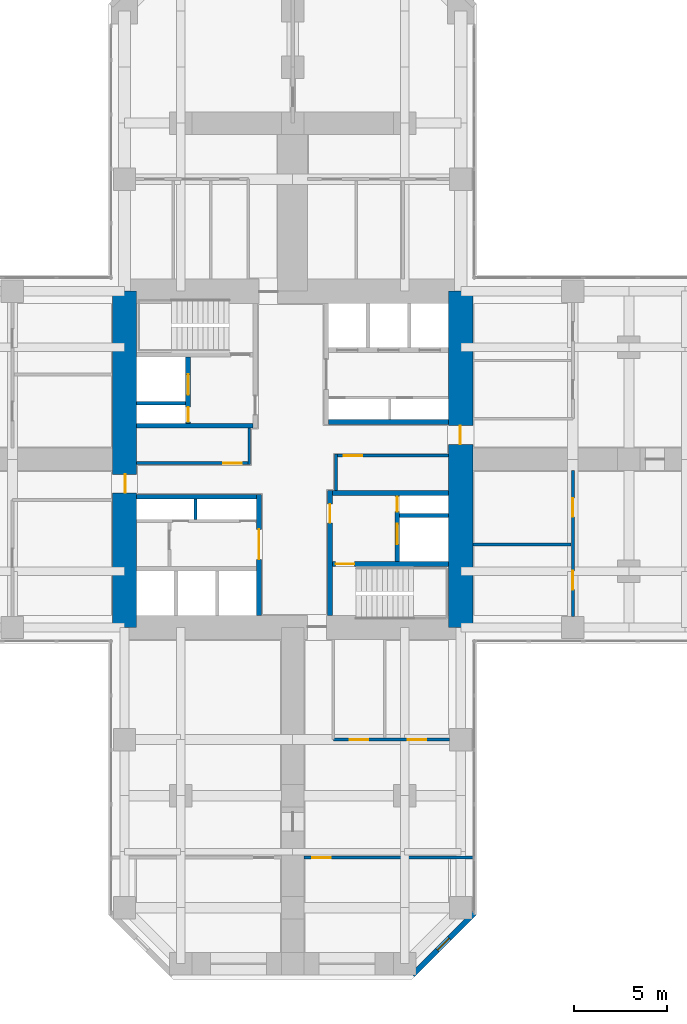
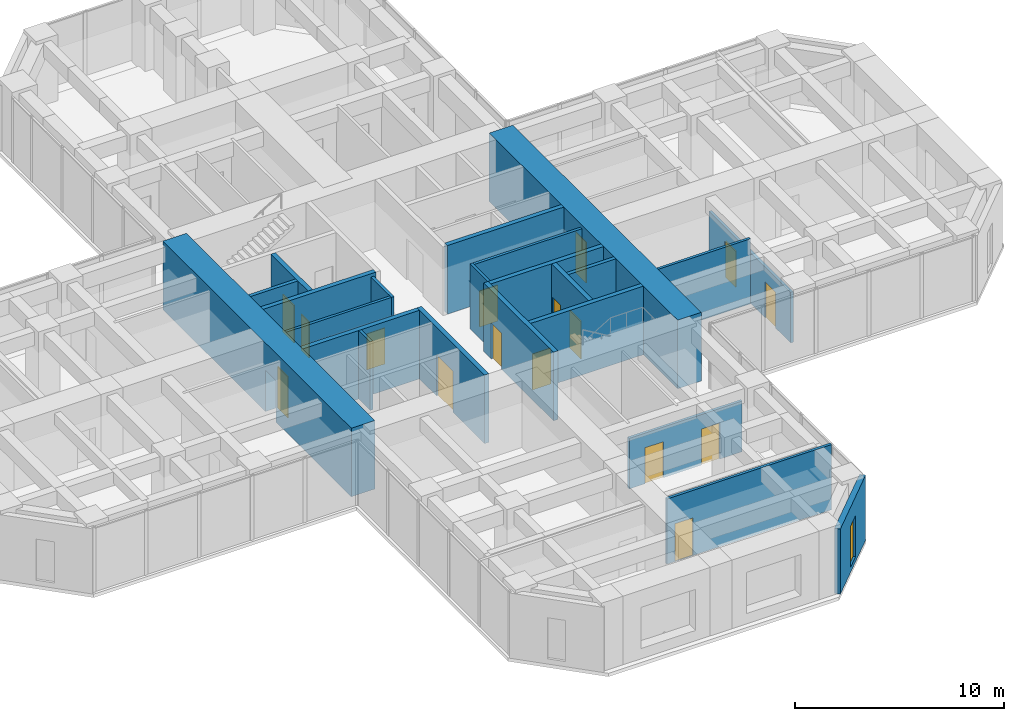
# One storey, part 9 of 12: 23 walls, 16 doors, 1 window, 17 openings.
"""IFC4 building model written with IfcOpenShell, lengths in metres."""

from ifc_helpers import new_model, si_unit, direction, frame, frame_2d, origin, place, context, subcontext, project, spatial, rectangle, hollow_rectangle, extrude, material, layer, layer_set, constituent, constituent_set, type_object, element, fill, save


model = new_model("IFC4")

# Units and contexts
model_context = context("Model", 3, precision=1e-05, world=origin(), true_north=direction((0.0, 1.0)))
body_context = subcontext(model_context, "Body", "Model", "MODEL_VIEW")
ifc_project = project(units=[si_unit("LENGTHUNIT", "METRE"), si_unit("AREAUNIT", "SQUARE_METRE"), si_unit("VOLUMEUNIT", "CUBIC_METRE"), si_unit("PLANEANGLEUNIT", "RADIAN"), si_unit("MASSUNIT", "GRAM", prefix="KILO")], contexts=[model_context])

# Site, building, storey
site_placement = place(None, origin())
site = spatial("IfcSite", under=ifc_project, at=site_placement, CompositionType="ELEMENT")
building_placement = place(site_placement, origin())
building = spatial("IfcBuilding", under=site, at=building_placement, Name="Torre Cruceta", CompositionType="ELEMENT")
storey_placement = place(building_placement, frame((0.0, 0.0, 79.5)))
storey = spatial("IfcBuildingStorey", under=building, at=storey_placement, Name="L19", CompositionType="ELEMENT", Elevation=79.5)

# Walls
ifc_material_1 = material(Name="Concrete G60 (fck 60 MPa)", Category="concrete")
ifc_layer_1 = layer(ifc_material_1, 0.25)
ifc_layer_set_1 = layer_set([ifc_layer_1], Name="Concrete G60 (fck 60 MPa)")
wall_type_1 = type_object("IfcWallType", Name="CORE INNER WALL 250 G60", PredefinedType="SHEAR", material=ifc_layer_set_1)
wall_1_placement = place(storey_placement, frame((1.925048828125, 2.0, 0.0), z_axis=(0.0, 0.0, 1.0), x_axis=(1.0, 0.0, 0.0)))
element("IfcWall", 1, at=wall_1_placement, inside=storey, type_object=wall_type_1, Name="CW4 L19 NE-CV", PredefinedType="SHEAR", context=body_context, shape_type="SweptSolid", body=[
    extrude(rectangle(XDim=6.425048828125, YDim=0.25, at=frame_2d((3.21240234375, 0.0))), origin(), (0.0, 0.0, 1.0), 4.0),
])
wall_2_placement = place(storey_placement, frame((-2.125, 1.800048828125, 0.0), z_axis=(0.0, 0.0, 1.0), x_axis=(-1.0, 0.0, 0.0)))
element("IfcWall", 2, at=wall_2_placement, inside=storey, type_object=wall_type_1, Name="CW4 L19 NW-CV", PredefinedType="SHEAR", context=body_context, shape_type="SweptSolid", body=[
    extrude(rectangle(XDim=6.22509765625, YDim=0.25, at=frame_2d((3.112548828125, 0.0))), origin(), (0.0, 0.0, 1.0), 4.0),
])

# Wall, openings, doors
wall_3_placement = place(storey_placement, frame((-5.60009765625, 1.925048828125, 0.0), z_axis=(0.0, 0.0, 1.0), x_axis=(0.0, 1.0, 0.0)))
wall_3 = element("IfcWall", 3, at=wall_3_placement, inside=storey, type_object=wall_type_1, Name="CW4 L19 NW-FU", PredefinedType="SHEAR", context=body_context, shape_type="SweptSolid", body=[
    extrude(rectangle(XDim=3.550048828125, YDim=0.25, at=frame_2d((1.77490234375, 0.0))), origin(), (0.0, 0.0, 1.0), 4.0),
])
opening_1_placement = place(wall_3_placement, frame((1.52490234375, 0.0, 0.0)))
opening_1 = element("IfcOpeningElement", 4, at=opening_1_placement, cuts=wall_3, Name="Opening LD1", PredefinedType="OPENING", context=body_context, shape_type="SweptSolid", body=[
    extrude(rectangle(XDim=1.10009765625, YDim=2.199951171875, at=frame_2d((0.550048828125, 1.10009765625))), frame((0.0, 0.135009765625, 0.0), z_axis=(0.0, -1.0, 0.0), x_axis=(1.0, 0.0, 0.0)), (0.0, 0.0, 1.0), 0.27001953125),
])
opening_2_placement = place(wall_3_placement, frame((0.074951171875, 0.0, 0.0)))
opening_2 = element("IfcOpeningElement", 5, at=opening_2_placement, cuts=wall_3, Name="Opening D5", PredefinedType="OPENING", context=body_context, shape_type="SweptSolid", body=[
    extrude(rectangle(XDim=0.800048828125, YDim=2.10009765625, at=frame_2d((0.39990234375, 1.050048828125))), frame((0.0, 0.135009765625, 0.0), z_axis=(0.0, -1.0, 0.0), x_axis=(1.0, 0.0, 0.0)), (0.0, 0.0, 1.0), 0.27001953125),
])
ifc_material_2 = material(Name="Stainless steel 1.4401", Category="steel")
door_type_1 = type_object("IfcDoorType", Name="LIFT LANDING DOOR 1100X2200", OperationType="DOUBLE_DOOR_SLIDING", PredefinedType="DOOR", material=ifc_material_2)
door_1_placement = place(opening_1_placement, origin())
door_1 = element("IfcDoor", 6, at=door_1_placement, inside=storey, type_object=door_type_1, Name="Lift landing door FL1", OperationType="DOUBLE_DOOR_SLIDING", OverallHeight=2.199951171875, OverallWidth=1.10009765625, PredefinedType="DOOR", context=body_context, shape_type="SweptSolid", body=[
    extrude(rectangle(XDim=1.10009765625, YDim=2.199951171875, at=frame_2d((0.550048828125, 1.10009765625))), frame((0.0, 0.02490234375, 0.0), z_axis=(0.0, -1.0, 0.0), x_axis=(1.0, 0.0, 0.0)), (0.0, 0.0, 1.0), 0.050048828125),
])
fill(opening_1, door_1)
ifc_material_3 = material(Name="Steel DX51D", Category="steel")
ifc_constituent_1 = constituent(ifc_material_3, Name="Leaf and frame")
ifc_material_4 = material(Name="Polyester powder coating", Category="paint")
ifc_constituent_2 = constituent(ifc_material_4, Name="Finish")
ifc_constituent_set_1 = constituent_set(constituents=[ifc_constituent_1, ifc_constituent_2], Name="Steel fire door")
door_type_2 = type_object("IfcDoorType", Name="RISER ACCESS DOOR 800X2100", OperationType="SINGLE_SWING_LEFT", PredefinedType="DOOR", material=ifc_constituent_set_1)
door_2_placement = place(opening_2_placement, origin())
door_2 = element("IfcDoor", 7, at=door_2_placement, inside=storey, type_object=door_type_2, Name="D5 L19 NW-RISER", OperationType="SINGLE_SWING_LEFT", OverallHeight=2.10009765625, OverallWidth=0.800048828125, PredefinedType="DOOR", context=body_context, shape_type="SweptSolid", body=[
    extrude(rectangle(XDim=0.800048828125, YDim=2.10009765625, at=frame_2d((0.39990234375, 1.050048828125))), frame((0.0, 0.02490234375, 0.0), z_axis=(0.0, -1.0, 0.0), x_axis=(1.0, 0.0, 0.0)), (0.0, 0.0, 1.0), 0.050048828125),
])
fill(opening_2, door_2)

# Wall, opening, door
wall_4_placement = place(storey_placement, frame((-1.800048828125, -1.875, 0.0), z_axis=(0.0, 0.0, 1.0), x_axis=(0.0, -1.0, 0.0)))
wall_4 = element("IfcWall", 8, at=wall_4_placement, inside=storey, type_object=wall_type_1, Name="CW4 L19 SW-CU", PredefinedType="SHEAR", context=body_context, shape_type="SweptSolid", body=[
    extrude(rectangle(XDim=6.47509765625, YDim=0.25, at=frame_2d((3.237548828125, 0.0))), origin(), (0.0, 0.0, 1.0), 4.0),
])
opening_3_placement = place(wall_4_placement, frame((1.875, 0.0, 0.0)))
opening_3 = element("IfcOpeningElement", 9, at=opening_3_placement, cuts=wall_4, Name="Opening D15", PredefinedType="OPENING", context=body_context, shape_type="SweptSolid", body=[
    extrude(rectangle(XDim=1.60009765625, YDim=2.39990234375, at=frame_2d((0.800048828125, 1.199951171875))), frame((0.0, 0.135009765625, 0.0), z_axis=(0.0, -1.0, 0.0), x_axis=(1.0, 0.0, 0.0)), (0.0, 0.0, 1.0), 0.27001953125),
])
ifc_material_5 = material(Name="Steel DX51D", Category="steel")
ifc_constituent_3 = constituent(ifc_material_5, Name="Leaf and frame")
ifc_material_6 = material(Name="Polyester powder coating", Category="paint")
ifc_constituent_4 = constituent(ifc_material_6, Name="Finish")
ifc_constituent_set_2 = constituent_set(constituents=[ifc_constituent_3, ifc_constituent_4], Name="Steel fire door")
door_type_3 = type_object("IfcDoorType", Name="CORE ROOM DOUBLE DOOR 1600X2400", OperationType="DOUBLE_DOOR_SINGLE_SWING", PredefinedType="DOOR", material=ifc_constituent_set_2)
door_3_placement = place(opening_3_placement, frame((1.60009765625, 0.0, 0.0), z_axis=(0.0, 0.0, 1.0), x_axis=(-1.0, 0.0, 0.0)))
door_3 = element("IfcDoor", 10, at=door_3_placement, inside=storey, type_object=door_type_3, Name="D15 L19 SW-LOBBY", OperationType="DOUBLE_DOOR_SINGLE_SWING", OverallHeight=2.39990234375, OverallWidth=1.60009765625, PredefinedType="DOOR", context=body_context, shape_type="SweptSolid", body=[
    extrude(rectangle(XDim=1.60009765625, YDim=2.39990234375, at=frame_2d((0.800048828125, 1.199951171875))), frame((0.0, 0.025146484375, 0.0), z_axis=(0.0, -1.0, 0.0), x_axis=(1.0, 0.0, 0.0)), (0.0, 0.0, 1.0), 0.050048828125),
])
fill(opening_3, door_3)

# Wall
wall_5_placement = place(storey_placement, frame((-1.925048828125, -2.0, 0.0), z_axis=(0.0, 0.0, 1.0), x_axis=(-1.0, 0.0, 0.0)))
element("IfcWall", 11, at=wall_5_placement, inside=storey, type_object=wall_type_1, Name="CW4 L19 SW-CV", PredefinedType="SHEAR", context=body_context, shape_type="SweptSolid", body=[
    extrude(rectangle(XDim=6.425048828125, YDim=0.25, at=frame_2d((3.21240234375, 0.0))), origin(), (0.0, 0.0, 1.0), 4.0),
])

# Wall, opening, door
wall_6_placement = place(storey_placement, frame((2.0, -1.675048828125, 0.0), z_axis=(0.0, 0.0, 1.0), x_axis=(0.0, -1.0, 0.0)))
wall_6 = element("IfcWall", 12, at=wall_6_placement, inside=storey, type_object=wall_type_1, Name="CW4 L19 SE-CU", PredefinedType="SHEAR", context=body_context, shape_type="SweptSolid", body=[
    extrude(rectangle(XDim=6.675048828125, YDim=0.25, at=frame_2d((3.33740234375, 0.0))), origin(), (0.0, 0.0, 1.0), 4.0),
])
opening_4_placement = place(wall_6_placement, frame((0.72509765625, 0.0, 0.0)))
opening_4 = element("IfcOpeningElement", 13, at=opening_4_placement, cuts=wall_6, Name="Opening D3", PredefinedType="OPENING", context=body_context, shape_type="SweptSolid", body=[
    extrude(rectangle(XDim=1.0, YDim=2.10009765625, at=frame_2d((0.5, 1.050048828125))), frame((0.0, 0.135009765625, 0.0), z_axis=(0.0, -1.0, 0.0), x_axis=(1.0, 0.0, 0.0)), (0.0, 0.0, 1.0), 0.27001953125),
])
ifc_material_7 = material(Name="Steel DX51D", Category="steel")
ifc_constituent_5 = constituent(ifc_material_7, Name="Leaf and frame")
ifc_material_8 = material(Name="Polyester powder coating", Category="paint")
ifc_constituent_6 = constituent(ifc_material_8, Name="Finish")
ifc_constituent_set_3 = constituent_set(constituents=[ifc_constituent_5, ifc_constituent_6], Name="Steel fire door")
door_type_4 = type_object("IfcDoorType", Name="FIRE DOOR 1000X2100", OperationType="SINGLE_SWING_LEFT", PredefinedType="DOOR", material=ifc_constituent_set_3)
door_4_placement = place(opening_4_placement, origin())
door_4 = element("IfcDoor", 14, at=door_4_placement, inside=storey, type_object=door_type_4, Name="D3 L19 SE-LOBBY", OperationType="SINGLE_SWING_LEFT", OverallHeight=2.10009765625, OverallWidth=1.0, PredefinedType="DOOR", context=body_context, shape_type="SweptSolid", body=[
    extrude(rectangle(XDim=1.0, YDim=2.10009765625, at=frame_2d((0.5, 1.050048828125))), frame((0.0, 0.02490234375, 0.0), z_axis=(0.0, -1.0, 0.0), x_axis=(1.0, 0.0, 0.0)), (0.0, 0.0, 1.0), 0.050048828125),
])
fill(opening_4, door_4)

# Wall
wall_7_placement = place(storey_placement, frame((2.125, -1.800048828125, 0.0), z_axis=(0.0, 0.0, 1.0), x_axis=(1.0, 0.0, 0.0)))
element("IfcWall", 15, at=wall_7_placement, inside=storey, type_object=wall_type_1, Name="CW4 L19 SE-CV", PredefinedType="SHEAR", context=body_context, shape_type="SweptSolid", body=[
    extrude(rectangle(XDim=6.22509765625, YDim=0.25, at=frame_2d((3.112548828125, 0.0))), origin(), (0.0, 0.0, 1.0), 4.0),
])

# Wall, opening, door
wall_8_placement = place(storey_placement, frame((2.125, -5.60009765625, 0.0), z_axis=(0.0, 0.0, 1.0), x_axis=(1.0, 0.0, 0.0)))
wall_8 = element("IfcWall", 16, at=wall_8_placement, inside=storey, type_object=wall_type_1, Name="CW4 L19 SE-SV", PredefinedType="SHEAR", context=body_context, shape_type="SweptSolid", body=[
    extrude(rectangle(XDim=6.22509765625, YDim=0.25, at=frame_2d((3.112548828125, 0.0))), origin(), (0.0, 0.0, 1.0), 4.0),
])
opening_5_placement = place(wall_8_placement, frame((0.175048828125, 0.0, 0.0)))
opening_5 = element("IfcOpeningElement", 17, at=opening_5_placement, cuts=wall_8, Name="Opening D3", PredefinedType="OPENING", context=body_context, shape_type="SweptSolid", body=[
    extrude(rectangle(XDim=1.0, YDim=2.10009765625, at=frame_2d((0.5, 1.050048828125))), frame((0.0, 0.135009765625, 0.0), z_axis=(0.0, -1.0, 0.0), x_axis=(1.0, 0.0, 0.0)), (0.0, 0.0, 1.0), 0.27001953125),
])
door_5_placement = place(opening_5_placement, frame((1.0, 0.0, 0.0), z_axis=(0.0, 0.0, 1.0), x_axis=(-1.0, 0.0, 0.0)))
door_5 = element("IfcDoor", 18, at=door_5_placement, inside=storey, type_object=door_type_4, Name="D3 L19 SE-STAIR", OperationType="SINGLE_SWING_RIGHT", OverallHeight=2.10009765625, OverallWidth=1.0, PredefinedType="DOOR", context=body_context, shape_type="SweptSolid", body=[
    extrude(rectangle(XDim=1.0, YDim=2.10009765625, at=frame_2d((0.5, 1.050048828125))), frame((0.0, 0.025146484375, 0.0), z_axis=(0.0, -1.0, 0.0), x_axis=(1.0, 0.0, 0.0)), (0.0, 0.0, 1.0), 0.050048828125),
])
fill(opening_5, door_5)

# Wall, openings, doors
wall_9_placement = place(storey_placement, frame((5.60009765625, -1.925048828125, 0.0), z_axis=(0.0, 0.0, 1.0), x_axis=(0.0, -1.0, 0.0)))
wall_9 = element("IfcWall", 19, at=wall_9_placement, inside=storey, type_object=wall_type_1, Name="CW4 L19 SE-FU", PredefinedType="SHEAR", context=body_context, shape_type="SweptSolid", body=[
    extrude(rectangle(XDim=3.550048828125, YDim=0.25, at=frame_2d((1.77490234375, 0.0))), origin(), (0.0, 0.0, 1.0), 4.0),
])
opening_6_placement = place(wall_9_placement, frame((1.52490234375, 0.0, 0.0)))
opening_6 = element("IfcOpeningElement", 20, at=opening_6_placement, cuts=wall_9, Name="Opening LD1", PredefinedType="OPENING", context=body_context, shape_type="SweptSolid", body=[
    extrude(rectangle(XDim=1.10009765625, YDim=2.199951171875, at=frame_2d((0.550048828125, 1.10009765625))), frame((0.0, 0.135009765625, 0.0), z_axis=(0.0, -1.0, 0.0), x_axis=(1.0, 0.0, 0.0)), (0.0, 0.0, 1.0), 0.27001953125),
])
opening_7_placement = place(wall_9_placement, frame((0.074951171875, 0.0, 0.0)))
opening_7 = element("IfcOpeningElement", 21, at=opening_7_placement, cuts=wall_9, Name="Opening D5", PredefinedType="OPENING", context=body_context, shape_type="SweptSolid", body=[
    extrude(rectangle(XDim=0.800048828125, YDim=2.10009765625, at=frame_2d((0.39990234375, 1.050048828125))), frame((0.0, 0.135009765625, 0.0), z_axis=(0.0, -1.0, 0.0), x_axis=(1.0, 0.0, 0.0)), (0.0, 0.0, 1.0), 0.27001953125),
])
door_6_placement = place(opening_6_placement, origin())
door_6 = element("IfcDoor", 22, at=door_6_placement, inside=storey, type_object=door_type_1, Name="Lift landing door FL2", OperationType="DOUBLE_DOOR_SLIDING", OverallHeight=2.199951171875, OverallWidth=1.10009765625, PredefinedType="DOOR", context=body_context, shape_type="SweptSolid", body=[
    extrude(rectangle(XDim=1.10009765625, YDim=2.199951171875, at=frame_2d((0.550048828125, 1.10009765625))), frame((0.0, 0.02490234375, 0.0), z_axis=(0.0, -1.0, 0.0), x_axis=(1.0, 0.0, 0.0)), (0.0, 0.0, 1.0), 0.050048828125),
])
fill(opening_6, door_6)
door_7_placement = place(opening_7_placement, origin())
door_7 = element("IfcDoor", 23, at=door_7_placement, inside=storey, type_object=door_type_2, Name="D5 L19 SE-RISER", OperationType="SINGLE_SWING_LEFT", OverallHeight=2.10009765625, OverallWidth=0.800048828125, PredefinedType="DOOR", context=body_context, shape_type="SweptSolid", body=[
    extrude(rectangle(XDim=0.800048828125, YDim=2.10009765625, at=frame_2d((0.39990234375, 1.050048828125))), frame((0.0, 0.02490234375, 0.0), z_axis=(0.0, -1.0, 0.0), x_axis=(1.0, 0.0, 0.0)), (0.0, 0.0, 1.0), 0.050048828125),
])
fill(opening_7, door_7)

# Wall, opening, door
ifc_material_9 = material(Name="Concrete G60 (fck 60 MPa)", Category="concrete")
ifc_layer_2 = layer(ifc_material_9, 1.300048828125)
ifc_layer_set_2 = layer_set([ifc_layer_2], Name="Concrete G60 (fck 60 MPa)")
wall_type_2 = type_object("IfcWallType", Name="CORE WALL 1300 G60", PredefinedType="SHEAR", material=ifc_layer_set_2)
wall_10_placement = place(storey_placement, frame((9.0, -9.0, 0.0), z_axis=(0.0, 0.0, 1.0), x_axis=(0.0, 1.0, 0.0)))
wall_10 = element("IfcWall", 24, at=wall_10_placement, inside=storey, type_object=wall_type_2, Name="CW1 L19 CW-E", PredefinedType="SHEAR", context=body_context, shape_type="SweptSolid", body=[
    extrude(rectangle(XDim=18.0, YDim=1.300048828125, at=frame_2d((9.0, 0.0))), origin(), (0.0, 0.0, 1.0), 4.0),
])
opening_8_placement = place(wall_10_placement, frame((9.800048828125, 0.0, 0.0)))
opening_8 = element("IfcOpeningElement", 25, at=opening_8_placement, cuts=wall_10, Name="Opening D4", PredefinedType="OPENING", context=body_context, shape_type="SweptSolid", body=[
    extrude(rectangle(XDim=1.0, YDim=2.39990234375, at=frame_2d((0.5, 1.199951171875))), frame((0.0, 0.659912109375, 0.0), z_axis=(0.0, -1.0, 0.0), x_axis=(1.0, 0.0, 0.0)), (0.0, 0.0, 1.0), 1.320068359375),
])
ifc_material_10 = material(Name="Steel DX51D", Category="steel")
ifc_constituent_7 = constituent(ifc_material_10, Name="Leaf and frame")
ifc_material_11 = material(Name="Polyester powder coating", Category="paint")
ifc_constituent_8 = constituent(ifc_material_11, Name="Finish")
ifc_constituent_set_4 = constituent_set(constituents=[ifc_constituent_7, ifc_constituent_8], Name="Steel fire door")
door_type_5 = type_object("IfcDoorType", Name="CORE ARM DOOR 1000X2400", OperationType="SINGLE_SWING_RIGHT", PredefinedType="DOOR", material=ifc_constituent_set_4)
door_8_placement = place(opening_8_placement, frame((1.0, 0.0, 0.0), z_axis=(0.0, 0.0, 1.0), x_axis=(-1.0, 0.0, 0.0)))
door_8 = element("IfcDoor", 26, at=door_8_placement, inside=storey, type_object=door_type_5, Name="D4 L19 CW-E", OperationType="SINGLE_SWING_RIGHT", OverallHeight=2.39990234375, OverallWidth=1.0, PredefinedType="DOOR", context=body_context, shape_type="SweptSolid", body=[
    extrude(rectangle(XDim=1.0, YDim=2.39990234375, at=frame_2d((0.5, 1.199951171875))), frame((0.0, -0.005126953125, 0.0), z_axis=(0.0, -1.0, 0.0), x_axis=(1.0, 0.0, 0.0)), (0.0, 0.0, 1.0), 0.050048828125),
])
fill(opening_8, door_8)

wall_11_placement = place(storey_placement, frame((-9.0, 9.0, 0.0), z_axis=(0.0, 0.0, 1.0), x_axis=(0.0, -1.0, 0.0)))
wall_11 = element("IfcWall", 27, at=wall_11_placement, inside=storey, type_object=wall_type_2, Name="CW1 L19 CW-W", PredefinedType="SHEAR", context=body_context, shape_type="SweptSolid", body=[
    extrude(rectangle(XDim=18.0, YDim=1.300048828125, at=frame_2d((9.0, 0.0))), origin(), (0.0, 0.0, 1.0), 4.0),
])
opening_9_placement = place(wall_11_placement, frame((9.800048828125, 0.0, 0.0)))
opening_9 = element("IfcOpeningElement", 28, at=opening_9_placement, cuts=wall_11, Name="Opening D4", PredefinedType="OPENING", context=body_context, shape_type="SweptSolid", body=[
    extrude(rectangle(XDim=1.0, YDim=2.39990234375, at=frame_2d((0.5, 1.199951171875))), frame((0.0, 0.659912109375, 0.0), z_axis=(0.0, -1.0, 0.0), x_axis=(1.0, 0.0, 0.0)), (0.0, 0.0, 1.0), 1.320068359375),
])
door_9_placement = place(opening_9_placement, frame((1.0, 0.0, 0.0), z_axis=(0.0, 0.0, 1.0), x_axis=(-1.0, 0.0, 0.0)))
door_9 = element("IfcDoor", 29, at=door_9_placement, inside=storey, type_object=door_type_5, Name="D4 L19 CW-W", OperationType="SINGLE_SWING_RIGHT", OverallHeight=2.39990234375, OverallWidth=1.0, PredefinedType="DOOR", context=body_context, shape_type="SweptSolid", body=[
    extrude(rectangle(XDim=1.0, YDim=2.39990234375, at=frame_2d((0.5, 1.199951171875))), frame((0.0, -0.005126953125, 0.0), z_axis=(0.0, -1.0, 0.0), x_axis=(1.0, 0.0, 0.0)), (0.0, 0.0, 1.0), 0.050048828125),
])
fill(opening_9, door_9)

# Wall, opening, window
ifc_material_12 = material(Name="Concrete G30 (fck 30 MPa)", Category="concrete")
ifc_layer_3 = layer(ifc_material_12, 0.300048828125)
ifc_layer_set_3 = layer_set([ifc_layer_3], Name="Concrete G30 (fck 30 MPa)")
wall_type_3 = type_object("IfcWallType", Name="EXPOSED CONCRETE FACADE WALL 300", PredefinedType="SOLIDWALL", material=ifc_layer_set_3)
wall_12_placement = place(storey_placement, frame((6.418212890625, -27.60009765625, 0.0), z_axis=(0.0, 0.0, 1.0), x_axis=(0.707106781187, 0.707106781187, 0.0)))
wall_12 = element("IfcWall", 30, at=wall_12_placement, inside=storey, type_object=wall_type_3, Name="EW1 facade wall L19 S chamfer 18", PredefinedType="SOLIDWALL", context=body_context, shape_type="SweptSolid", body=[
    extrude(rectangle(XDim=4.66943359375, YDim=0.300048828125, at=frame_2d((2.334716796875, 0.0))), origin(), (0.0, 0.0, 1.0), 3.800048828125),
])
opening_10_placement = place(wall_12_placement, frame((1.884765625, 0.0, 0.300048828125)))
opening_10 = element("IfcOpeningElement", 31, at=opening_10_placement, cuts=wall_12, Name="Opening WN5", PredefinedType="OPENING", context=body_context, shape_type="SweptSolid", body=[
    extrude(rectangle(XDim=0.89990234375, YDim=2.39990234375, at=frame_2d((0.449951171875, 1.199951171875))), frame((0.0, 0.159912109375, 0.0), z_axis=(0.0, -1.0, 0.0), x_axis=(1.0, 0.0, 0.0)), (0.0, 0.0, 1.0), 0.320068359375),
])
ifc_material_13 = material(Name="Aluminium window frame", Category="aluminium")
ifc_constituent_9 = constituent(ifc_material_13, Name="Frame")
ifc_material_14 = material(Name="Laminated insulating glass unit, low-iron clear", Category="glass")
ifc_constituent_10 = constituent(ifc_material_14, Name="Glazing")
ifc_constituent_set_5 = constituent_set(constituents=[ifc_constituent_9, ifc_constituent_10], Name="Aluminium window")
window_type = type_object("IfcWindowType", Name="CHAMFER SLOT WINDOW 900X2400", PartitioningType="SINGLE_PANEL", PredefinedType="WINDOW", material=ifc_constituent_set_5)
window_placement = place(opening_10_placement, origin())
window = element("IfcWindow", 32, at=window_placement, inside=storey, type_object=window_type, Name="WN5 L19 S 1", OverallHeight=2.39990234375, OverallWidth=0.89990234375, PartitioningType="SINGLE_PANEL", PredefinedType="WINDOW", context=body_context, shape_type="SweptSolid", body=[
    extrude(hollow_rectangle(XDim=0.89990234375, YDim=2.39990234375, WallThickness=0.06005859375, at=frame_2d((0.449951171875, 1.199951171875))), frame((0.0, 0.030029296875, 0.0), z_axis=(0.0, -1.0, 0.0), x_axis=(1.0, 0.0, 0.0)), (0.0, 0.0, 1.0), 0.06005859375),
    extrude(rectangle(XDim=0.77880859375, YDim=2.27880859375, at=frame_2d((0.449951171875, 1.199951171875))), frame((0.0, 0.030029296875, 0.0), z_axis=(0.0, -1.0, 0.0), x_axis=(1.0, 0.0, 0.0)), (0.0, 0.0, 1.0), 0.06005859375),
])
fill(opening_10, window)

# Walls
ifc_material_15 = material(Name="Concrete G35 (fck 35 MPa)", Category="concrete")
ifc_layer_4 = layer(ifc_material_15, 0.199951171875)
ifc_layer_set_4 = layer_set([ifc_layer_4], Name="Concrete G35 (fck 35 MPa)")
wall_type_4 = type_object("IfcWallType", Name="LIFT SHAFT WALL 200", PredefinedType="PARTITIONING", material=ifc_layer_set_4)
for number, where, z_axis, x_axis, name in (
    (33, (-5.72509765625, 3.0, 0.0), (0.0, 0.0, 1.0), (-1.0, 0.0, 0.0), "SW1 L19 NW-FR"),
    (34, (5.72509765625, -3.0, 0.0), (0.0, 0.0, 1.0), (1.0, 0.0, 0.0), "SW1 L19 SE-FR"),
):
    element("IfcWall", number, at=place(storey_placement, frame(where, z_axis=z_axis, x_axis=x_axis)), inside=storey, type_object=wall_type_4, Name=name, PredefinedType="PARTITIONING", context=body_context, shape_type="SweptSolid", body=[
        extrude(rectangle(XDim=2.625, YDim=0.199951171875, at=frame_2d((1.3125, 0.0))), origin(), (0.0, 0.0, 1.0), 4.0),
    ])

# Wall, opening, door
ifc_material_16 = material(Name="Plasterboard on steel studs", Category="steel")
ifc_layer_5 = layer(ifc_material_16, 0.14990234375)
ifc_layer_set_5 = layer_set([ifc_layer_5], Name="Plasterboard on steel studs")
wall_type_5 = type_object("IfcWallType", Name="PARTITION 150", PredefinedType="PARTITIONING", material=ifc_layer_set_5)
wall_13_placement = place(storey_placement, frame((2.324951171875, 0.199951171875, 0.0), z_axis=(0.0, 0.0, 1.0), x_axis=(1.0, 0.0, 0.0)))
wall_13 = element("IfcWall", 35, at=wall_13_placement, inside=storey, type_object=wall_type_5, Name="PT1 L19-CORE-LEGE-S-W1", PredefinedType="PARTITIONING", context=body_context, shape_type="SweptSolid", body=[
    extrude(rectangle(XDim=6.025146484375, YDim=0.14990234375, at=frame_2d((3.0126953125, 0.0))), origin(), (0.0, 0.0, 1.0), 3.800048828125),
])
opening_11_placement = place(wall_13_placement, frame((0.39990234375, 0.0, 0.0)))
opening_11 = element("IfcOpeningElement", 36, at=opening_11_placement, cuts=wall_13, Name="Opening D3", PredefinedType="OPENING", context=body_context, shape_type="SweptSolid", body=[
    extrude(rectangle(XDim=1.0, YDim=2.10009765625, at=frame_2d((0.5, 1.050048828125))), frame((0.0, 0.0849609375, 0.0), z_axis=(0.0, -1.0, 0.0), x_axis=(1.0, 0.0, 0.0)), (0.0, 0.0, 1.0), 0.169921875),
])
door_10_placement = place(opening_11_placement, frame((1.0, 0.0, 0.0), z_axis=(0.0, 0.0, 1.0), x_axis=(-1.0, 0.0, 0.0)))
door_10 = element("IfcDoor", 37, at=door_10_placement, inside=storey, type_object=door_type_4, Name="D3 L19-CORE-LEGE-S-W1-D1", OperationType="SINGLE_SWING_RIGHT", OverallHeight=2.10009765625, OverallWidth=1.0, PredefinedType="DOOR", context=body_context, shape_type="SweptSolid", body=[
    extrude(rectangle(XDim=1.0, YDim=2.10009765625, at=frame_2d((0.5, 1.050048828125))), frame((0.0, 0.025146484375, 0.0), z_axis=(0.0, -1.0, 0.0), x_axis=(1.0, 0.0, 0.0)), (0.0, 0.0, 1.0), 0.050048828125),
])
fill(opening_11, door_10)

# Wall
wall_14_placement = place(storey_placement, frame((2.324951171875, -1.675048828125, 0.0), z_axis=(0.0, 0.0, 1.0), x_axis=(0.0, 1.0, 0.0)))
element("IfcWall", 38, at=wall_14_placement, inside=storey, type_object=wall_type_5, Name="PT1 L19-CORE-LEGE-S-W2", PredefinedType="PARTITIONING", context=body_context, shape_type="SweptSolid", body=[
    extrude(rectangle(XDim=1.949951171875, YDim=0.14990234375, at=frame_2d((0.97509765625, 0.0))), origin(), (0.0, 0.0, 1.0), 3.800048828125),
])

# Wall, opening, door
wall_15_placement = place(storey_placement, frame((-2.324951171875, -0.199951171875, 0.0), z_axis=(0.0, 0.0, 1.0), x_axis=(-1.0, 0.0, 0.0)))
wall_15 = element("IfcWall", 39, at=wall_15_placement, inside=storey, type_object=wall_type_5, Name="PT1 L19-CORE-LEGW-N-W1", PredefinedType="PARTITIONING", context=body_context, shape_type="SweptSolid", body=[
    extrude(rectangle(XDim=6.025146484375, YDim=0.14990234375, at=frame_2d((3.0126953125, 0.0))), origin(), (0.0, 0.0, 1.0), 3.800048828125),
])
opening_12_placement = place(wall_15_placement, frame((0.39990234375, 0.0, 0.0)))
opening_12 = element("IfcOpeningElement", 40, at=opening_12_placement, cuts=wall_15, Name="Opening D3", PredefinedType="OPENING", context=body_context, shape_type="SweptSolid", body=[
    extrude(rectangle(XDim=1.0, YDim=2.10009765625, at=frame_2d((0.5, 1.050048828125))), frame((0.0, 0.0849609375, 0.0), z_axis=(0.0, -1.0, 0.0), x_axis=(1.0, 0.0, 0.0)), (0.0, 0.0, 1.0), 0.169921875),
])
door_11_placement = place(opening_12_placement, frame((1.0, 0.0, 0.0), z_axis=(0.0, 0.0, 1.0), x_axis=(-1.0, 0.0, 0.0)))
door_11 = element("IfcDoor", 41, at=door_11_placement, inside=storey, type_object=door_type_4, Name="D3 L19-CORE-LEGW-N-W1-D1", OperationType="SINGLE_SWING_RIGHT", OverallHeight=2.10009765625, OverallWidth=1.0, PredefinedType="DOOR", context=body_context, shape_type="SweptSolid", body=[
    extrude(rectangle(XDim=1.0, YDim=2.10009765625, at=frame_2d((0.5, 1.050048828125))), frame((0.0, 0.025146484375, 0.0), z_axis=(0.0, -1.0, 0.0), x_axis=(1.0, 0.0, 0.0)), (0.0, 0.0, 1.0), 0.050048828125),
])
fill(opening_12, door_11)

# Wall
wall_16_placement = place(storey_placement, frame((-2.324951171875, 1.675048828125, 0.0), z_axis=(0.0, 0.0, 1.0), x_axis=(0.0, -1.0, 0.0)))
element("IfcWall", 42, at=wall_16_placement, inside=storey, type_object=wall_type_5, Name="PT1 L19-CORE-LEGW-N-W2", PredefinedType="PARTITIONING", context=body_context, shape_type="SweptSolid", body=[
    extrude(rectangle(XDim=1.949951171875, YDim=0.14990234375, at=frame_2d((0.97509765625, 0.0))), origin(), (0.0, 0.0, 1.0), 3.800048828125),
])

# Wall, openings, doors
wall_17_placement = place(storey_placement, frame((15.0, -8.39990234375, 0.0), z_axis=(0.0, 0.0, 1.0), x_axis=(0.0, 1.0, 0.0)))
wall_17 = element("IfcWall", 43, at=wall_17_placement, inside=storey, type_object=wall_type_5, Name="PT1 L19-E-BFR", PredefinedType="PARTITIONING", context=body_context, shape_type="SweptSolid", body=[
    extrude(rectangle(XDim=7.7998046875, YDim=0.14990234375, at=frame_2d((3.89990234375, 0.0))), origin(), (0.0, 0.0, 1.0), 2.949951171875),
])
opening_13_placement = place(wall_17_placement, frame((1.425048828125, 0.0, 0.0)))
opening_13 = element("IfcOpeningElement", 44, at=opening_13_placement, cuts=wall_17, Name="Opening D3", PredefinedType="OPENING", context=body_context, shape_type="SweptSolid", body=[
    extrude(rectangle(XDim=1.0, YDim=2.10009765625, at=frame_2d((0.5, 1.050048828125))), frame((0.0, 0.0849609375, 0.0), z_axis=(0.0, -1.0, 0.0), x_axis=(1.0, 0.0, 0.0)), (0.0, 0.0, 1.0), 0.169921875),
])
opening_14_placement = place(wall_17_placement, frame((5.324951171875, 0.0, 0.0)))
opening_14 = element("IfcOpeningElement", 45, at=opening_14_placement, cuts=wall_17, Name="Opening D3", PredefinedType="OPENING", context=body_context, shape_type="SweptSolid", body=[
    extrude(rectangle(XDim=1.0, YDim=2.10009765625, at=frame_2d((0.5, 1.050048828125))), frame((0.0, 0.0849609375, 0.0), z_axis=(0.0, -1.0, 0.0), x_axis=(1.0, 0.0, 0.0)), (0.0, 0.0, 1.0), 0.169921875),
])
door_12_placement = place(opening_13_placement, origin())
door_12 = element("IfcDoor", 46, at=door_12_placement, inside=storey, type_object=door_type_4, Name="D3 L19-E-BFR-D1", OperationType="SINGLE_SWING_RIGHT", OverallHeight=2.10009765625, OverallWidth=1.0, PredefinedType="DOOR", context=body_context, shape_type="SweptSolid", body=[
    extrude(rectangle(XDim=1.0, YDim=2.10009765625, at=frame_2d((0.5, 1.050048828125))), frame((0.0, 0.02490234375, 0.0), z_axis=(0.0, -1.0, 0.0), x_axis=(1.0, 0.0, 0.0)), (0.0, 0.0, 1.0), 0.050048828125),
])
fill(opening_13, door_12)
door_13_placement = place(opening_14_placement, origin())
door_13 = element("IfcDoor", 47, at=door_13_placement, inside=storey, type_object=door_type_4, Name="D3 L19-E-BFR-D2", OperationType="SINGLE_SWING_LEFT", OverallHeight=2.10009765625, OverallWidth=1.0, PredefinedType="DOOR", context=body_context, shape_type="SweptSolid", body=[
    extrude(rectangle(XDim=1.0, YDim=2.10009765625, at=frame_2d((0.5, 1.050048828125))), frame((0.0, 0.02490234375, 0.0), z_axis=(0.0, -1.0, 0.0), x_axis=(1.0, 0.0, 0.0)), (0.0, 0.0, 1.0), 0.050048828125),
])
fill(opening_14, door_13)

# Wall
wall_18_placement = place(storey_placement, frame((9.64990234375, -4.550048828125, 0.0), z_axis=(0.0, 0.0, 1.0), x_axis=(1.0, 0.0, 0.0)))
element("IfcWall", 48, at=wall_18_placement, inside=storey, type_object=wall_type_5, Name="PT1 L19-E-BDR1", PredefinedType="PARTITIONING", context=body_context, shape_type="SweptSolid", body=[
    extrude(rectangle(XDim=5.25, YDim=0.14990234375, at=frame_2d((2.625, 0.0))), origin(), (0.0, 0.0, 1.0), 3.800048828125),
])

# Wall, openings, doors
wall_19_placement = place(storey_placement, frame((2.175048828125, -15.0, 0.0), z_axis=(0.0, 0.0, 1.0), x_axis=(1.0, 0.0, 0.0)))
wall_19 = element("IfcWall", 49, at=wall_19_placement, inside=storey, type_object=wall_type_5, Name="PT1 L19-S-BFL", PredefinedType="PARTITIONING", context=body_context, shape_type="SweptSolid", body=[
    extrude(rectangle(XDim=6.224853515625, YDim=0.14990234375, at=frame_2d((3.1123046875, 0.0))), origin(), (0.0, 0.0, 1.0), 2.949951171875),
])
opening_15_placement = place(wall_19_placement, frame((0.875244140625, 0.0, 0.0)))
opening_15 = element("IfcOpeningElement", 50, at=opening_15_placement, cuts=wall_19, Name="Opening D3", PredefinedType="OPENING", context=body_context, shape_type="SweptSolid", body=[
    extrude(rectangle(XDim=1.0, YDim=2.10009765625, at=frame_2d((0.5, 1.050048828125))), frame((0.0, 0.0849609375, 0.0), z_axis=(0.0, -1.0, 0.0), x_axis=(1.0, 0.0, 0.0)), (0.0, 0.0, 1.0), 0.169921875),
])
opening_16_placement = place(wall_19_placement, frame((3.98779296875, 0.0, 0.0)))
opening_16 = element("IfcOpeningElement", 51, at=opening_16_placement, cuts=wall_19, Name="Opening D3", PredefinedType="OPENING", context=body_context, shape_type="SweptSolid", body=[
    extrude(rectangle(XDim=1.0, YDim=2.10009765625, at=frame_2d((0.5, 1.050048828125))), frame((0.0, 0.0849609375, 0.0), z_axis=(0.0, -1.0, 0.0), x_axis=(1.0, 0.0, 0.0)), (0.0, 0.0, 1.0), 0.169921875),
])
door_14_placement = place(opening_15_placement, origin())
door_14 = element("IfcDoor", 52, at=door_14_placement, inside=storey, type_object=door_type_4, Name="D3 L19-S-BFL-D1", OperationType="SINGLE_SWING_LEFT", OverallHeight=2.10009765625, OverallWidth=1.0, PredefinedType="DOOR", context=body_context, shape_type="SweptSolid", body=[
    extrude(rectangle(XDim=1.0, YDim=2.10009765625, at=frame_2d((0.5, 1.050048828125))), frame((0.0, 0.02490234375, 0.0), z_axis=(0.0, -1.0, 0.0), x_axis=(1.0, 0.0, 0.0)), (0.0, 0.0, 1.0), 0.050048828125),
])
fill(opening_15, door_14)
door_15_placement = place(opening_16_placement, origin())
door_15 = element("IfcDoor", 53, at=door_15_placement, inside=storey, type_object=door_type_4, Name="D3 L19-S-BFL-D2", OperationType="SINGLE_SWING_LEFT", OverallHeight=2.10009765625, OverallWidth=1.0, PredefinedType="DOOR", context=body_context, shape_type="SweptSolid", body=[
    extrude(rectangle(XDim=1.0, YDim=2.10009765625, at=frame_2d((0.5, 1.050048828125))), frame((0.0, 0.02490234375, 0.0), z_axis=(0.0, -1.0, 0.0), x_axis=(1.0, 0.0, 0.0)), (0.0, 0.0, 1.0), 0.050048828125),
])
fill(opening_16, door_15)

# Wall, opening, door
wall_20_placement = place(storey_placement, frame((0.60009765625, -21.320068359375, 0.0), z_axis=(0.0, 0.0, 1.0), x_axis=(1.0, 0.0, 0.0)))
wall_20 = element("IfcWall", 54, at=wall_20_placement, inside=storey, type_object=wall_type_5, Name="PT1 L19-S-TWL", PredefinedType="PARTITIONING", context=body_context, shape_type="SweptSolid", body=[
    extrude(rectangle(XDim=9.079833984375, YDim=0.14990234375, at=frame_2d((4.5400390625, 0.0))), origin(), (0.0, 0.0, 1.0), 3.800048828125),
])
opening_17_placement = place(wall_20_placement, frame((0.449951171875, 0.0, 0.0)))
opening_17 = element("IfcOpeningElement", 55, at=opening_17_placement, cuts=wall_20, Name="Opening D14", PredefinedType="OPENING", context=body_context, shape_type="SweptSolid", body=[
    extrude(rectangle(XDim=1.0, YDim=2.199951171875, at=frame_2d((0.5, 1.10009765625))), frame((0.0, 0.0849609375, 0.0), z_axis=(0.0, -1.0, 0.0), x_axis=(1.0, 0.0, 0.0)), (0.0, 0.0, 1.0), 0.169921875),
])
ifc_material_17 = material(Name="Steel DX51D", Category="steel")
ifc_constituent_11 = constituent(ifc_material_17, Name="Leaf and frame")
ifc_material_18 = material(Name="Polyester powder coating", Category="paint")
ifc_constituent_12 = constituent(ifc_material_18, Name="Finish")
ifc_material_19 = material(Name="Fire-resisting glass", Category="glass")
ifc_constituent_13 = constituent(ifc_material_19, Name="Vision panel")
ifc_constituent_set_6 = constituent_set(constituents=[ifc_constituent_11, ifc_constituent_12, ifc_constituent_13], Name="Steel fire door with vision panel")
door_type_6 = type_object("IfcDoorType", Name="FIRE DOOR VISION PANEL 1000X2200", OperationType="SINGLE_SWING_RIGHT", PredefinedType="DOOR", material=ifc_constituent_set_6)
door_16_placement = place(opening_17_placement, frame((1.0, 0.0, 0.0), z_axis=(0.0, 0.0, 1.0), x_axis=(-1.0, 0.0, 0.0)))
door_16 = element("IfcDoor", 56, at=door_16_placement, inside=storey, type_object=door_type_6, Name="D14 L19-S-TWL-D1", OperationType="SINGLE_SWING_RIGHT", OverallHeight=2.199951171875, OverallWidth=1.0, PredefinedType="DOOR", context=body_context, shape_type="SweptSolid", body=[
    extrude(rectangle(XDim=1.0, YDim=2.199951171875, at=frame_2d((0.5, 1.10009765625))), frame((0.0, 0.025146484375, 0.0), z_axis=(0.0, -1.0, 0.0), x_axis=(1.0, 0.0, 0.0)), (0.0, 0.0, 1.0), 0.050048828125),
])
fill(opening_17, door_16)

# Wall
ifc_material_20 = material(Name="Concrete block masonry", Category="masonry")
ifc_layer_6 = layer(ifc_material_20, 0.14990234375)
ifc_layer_set_6 = layer_set([ifc_layer_6], Name="Concrete block masonry")
wall_type_6 = type_object("IfcWallType", Name="RISER WALL 150", PredefinedType="PARTITIONING", material=ifc_layer_set_6)
wall_21_placement = place(storey_placement, frame((-5.199951171875, -2.125, 0.0), z_axis=(0.0, 0.0, 1.0), x_axis=(0.0, -1.0, 0.0)))
element("IfcWall", 57, at=wall_21_placement, inside=storey, type_object=wall_type_6, Name="SW7 L19 SW-RU", PredefinedType="PARTITIONING", context=body_context, shape_type="SweptSolid", body=[
    extrude(rectangle(XDim=1.10009765625, YDim=0.14990234375, at=frame_2d((0.550048828125, 0.0))), origin(), (0.0, 0.0, 1.0), 4.0),
])

save(model, "model.ifc")
